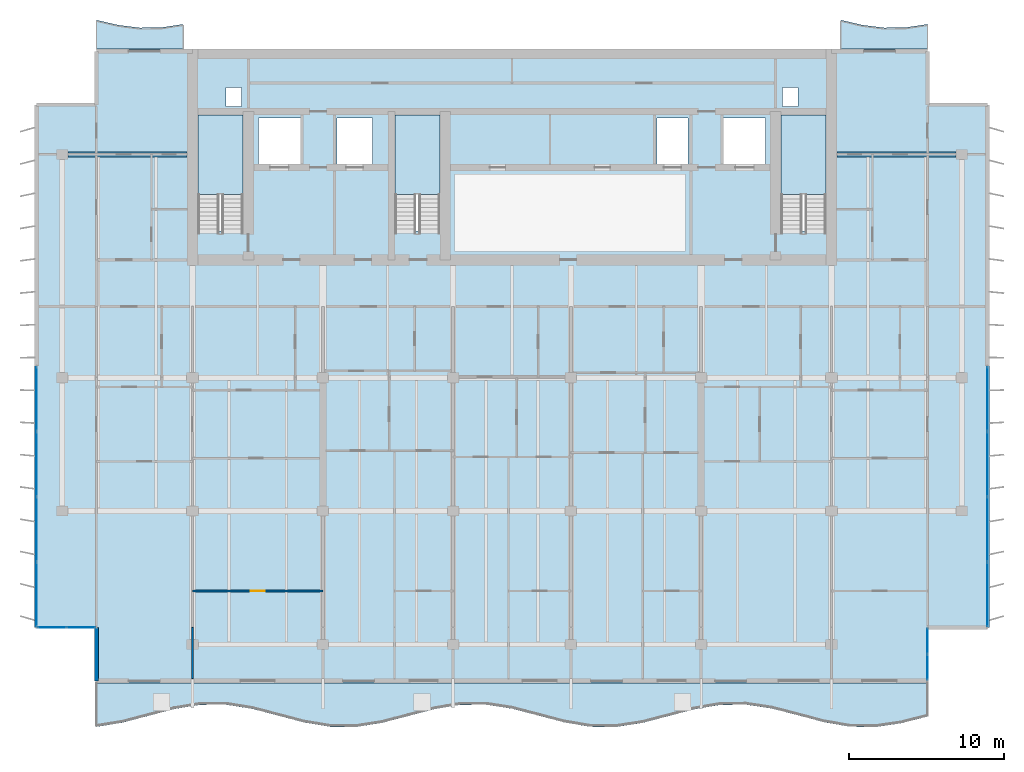
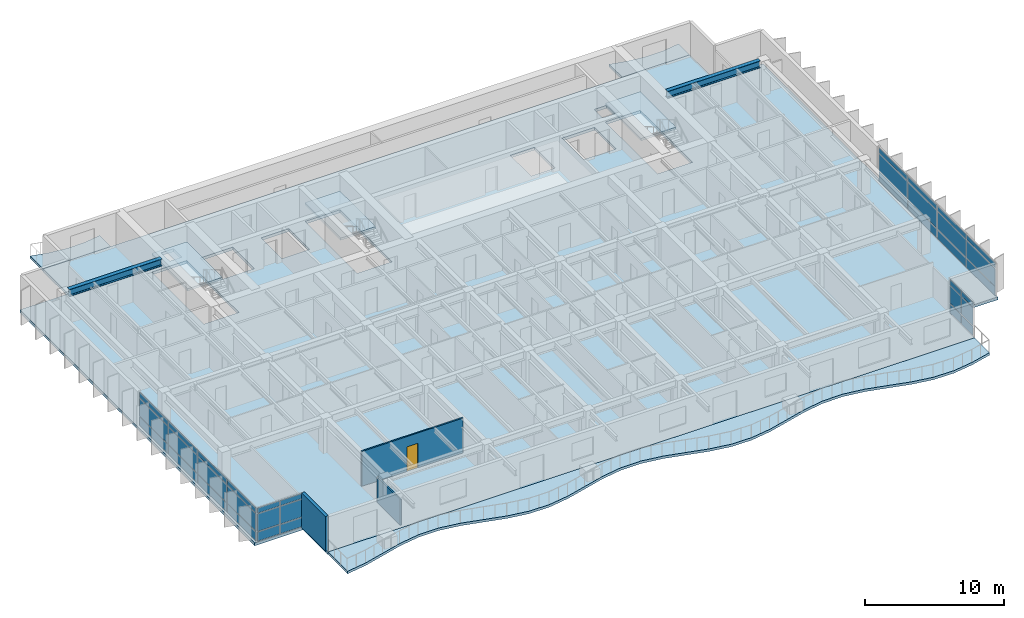
# One storey, part 5 of 17: 36 plates, 7 slabs, 3 walls, 2 beams, 1 door, 1 opening, 7 elements without a shape of their own.
"""IFC4 building model written with IfcOpenShell, lengths in metres."""

from ifc_helpers import new_model, si_unit, direction, frame, frame_2d, origin, origin_2d, place, context, subcontext, project, spatial, polyline, rectangle, i_section, outline, extrude, material, layer, layer_set, material_profile, profile_set, type_object, element, fill, aggregate, save


model = new_model("IFC4")

# Units and contexts
model_context = context("Model", 3, precision=1e-05, world=origin(), true_north=direction((0.0, 1.0)))
body_context = subcontext(model_context, "Body", "Model", "MODEL_VIEW")
ifc_project = project(units=[si_unit("LENGTHUNIT", "METRE"), si_unit("AREAUNIT", "SQUARE_METRE"), si_unit("VOLUMEUNIT", "CUBIC_METRE"), si_unit("PLANEANGLEUNIT", "RADIAN"), si_unit("MASSUNIT", "GRAM", prefix="KILO")], contexts=[model_context])

# Site, building, storey
site_placement = place(None, origin())
site = spatial("IfcSite", under=ifc_project, at=site_placement, CompositionType="ELEMENT")
building_placement = place(site_placement, origin())
building = spatial("IfcBuilding", under=site, at=building_placement, Name="Caelmar Bay Residences", CompositionType="ELEMENT")
storey_placement = place(building_placement, frame((0.0, 0.0, 236.39990234375)))
storey = spatial("IfcBuildingStorey", under=building, at=storey_placement, Name="L66", CompositionType="ELEMENT", Elevation=236.39990234375)

# Beams
ifc_material_1 = material(Name="Steel ASTM A992 Grade 50", Category="steel")
ifc_material_profile = material_profile(ifc_material_1, i_section(OverallWidth=0.324951171875, OverallDepth=0.616943359375, WebThickness=0.013916015625, FlangeThickness=0.021484375, FilletRadius=0.0126953125, at=origin_2d()), Name="W24X117")
ifc_profile_set = profile_set([ifc_material_profile], Name="Steel ASTM A992 Grade 50")
beam_type = type_object("IfcBeamType", Name="BM-SPN-W24X117", PredefinedType="SPANDREL", material=ifc_profile_set)
beam_1_placement = place(storey_placement, frame((10.264892578125, 43.800048828125, 2.74169921875), z_axis=(1.0, 0.0, 0.0), x_axis=(0.0, 1.0, 0.0)))
element("IfcBeam", 1, at=beam_1_placement, inside=storey, type_object=beam_type, Name="L66 North-West Wing Core Tie Girder", PredefinedType="SPANDREL", context=body_context, shape_type="SweptSolid", body=[
    extrude(i_section(OverallWidth=0.324951171875, OverallDepth=0.616943359375, WebThickness=0.013916015625, FlangeThickness=0.021484375, FilletRadius=0.0126953125, at=origin_2d()), origin(), (0.0, 0.0, 1.0), 7.68505859375),
])
beam_2_placement = place(storey_placement, frame((59.85009765625, 43.800048828125, 2.74169921875), z_axis=(1.0, 0.0, 0.0), x_axis=(0.0, 1.0, 0.0)))
element("IfcBeam", 2, at=beam_2_placement, inside=storey, type_object=beam_type, Name="L66 North-East Wing Core Tie Girder", PredefinedType="SPANDREL", context=body_context, shape_type="SweptSolid", body=[
    extrude(i_section(OverallWidth=0.324951171875, OverallDepth=0.616943359375, WebThickness=0.013916015625, FlangeThickness=0.021484375, FilletRadius=0.0126953125, at=origin_2d()), origin(), (0.0, 0.0, 1.0), 7.684814453125),
])

# Curtain wall, plates
ifc_material_2 = material(Name="Anodised bronze aluminium 6063-T6 and laminated glass", Category="aluminium")
ifc_layer_1 = layer(ifc_material_2, 0.179931640625)
ifc_layer_set_1 = layer_set([ifc_layer_1], Name="Anodised bronze aluminium 6063-T6 and laminated glass")
curtain_wall_type_1 = type_object("IfcCurtainWallType", Name="CW6-NTC", PredefinedType="NOTDEFINED", material=ifc_layer_set_1)
curtain_wall_1_placement = place(storey_placement, origin())
curtain_wall_1 = element("IfcCurtainWall", 3, at=curtain_wall_1_placement, inside=storey, type_object=curtain_wall_type_1, Name="CW6 curtain wall L66", PredefinedType="NOTDEFINED")
ifc_material_3 = material(Name="Bronze-tinted laminated low-E hurricane glass 28 mm", Category="glass")
ifc_layer_2 = layer(ifc_material_3, 0.028076171875)
ifc_layer_set_2 = layer_set([ifc_layer_2], Name="Bronze-tinted laminated low-E hurricane glass 28 mm")
plate_type_1 = type_object("IfcPlateType", Name="CWP-GLZ28", PredefinedType="CURTAIN_PANEL", material=ifc_layer_set_2)
plate_1_placement = place(storey_placement, frame((9.232421875, 13.300048828125, 0.080078125), z_axis=(0.0, 0.0, 1.0), x_axis=(1.0, 0.0, 0.0)))
plate_1 = element("IfcPlate", 4, at=plate_1_placement, type_object=plate_type_1, Name="CW6 panel 1.1", PredefinedType="CURTAIN_PANEL", context=body_context, shape_type="SweptSolid", body=[
    extrude(rectangle(XDim=1.804931640625, YDim=0.028076171875, at=origin_2d()), origin(), (0.0, 0.0, 1.0), 0.780029296875),
])
plate_2_placement = place(storey_placement, frame((9.232421875, 13.300048828125, 0.940185546875), z_axis=(0.0, 0.0, 1.0), x_axis=(1.0, 0.0, 0.0)))
plate_2 = element("IfcPlate", 5, at=plate_2_placement, type_object=plate_type_1, Name="CW6 panel 1.2", PredefinedType="CURTAIN_PANEL", context=body_context, shape_type="SweptSolid", body=[
    extrude(rectangle(XDim=1.804931640625, YDim=0.028076171875, at=origin_2d()), origin(), (0.0, 0.0, 1.0), 1.52001953125),
])
plate_3_placement = place(storey_placement, frame((9.232421875, 13.300048828125, 2.5400390625), z_axis=(0.0, 0.0, 1.0), x_axis=(1.0, 0.0, 0.0)))
plate_3 = element("IfcPlate", 6, at=plate_3_placement, type_object=plate_type_1, Name="CW6 panel 1.3", PredefinedType="CURTAIN_PANEL", context=body_context, shape_type="SweptSolid", body=[
    extrude(rectangle(XDim=1.804931640625, YDim=0.028076171875, at=origin_2d()), origin(), (0.0, 0.0, 1.0), 0.429931640625),
])
plate_4_placement = place(storey_placement, frame((11.117431640625, 13.300048828125, 0.080078125), z_axis=(0.0, 0.0, 1.0), x_axis=(1.0, 0.0, 0.0)))
plate_4 = element("IfcPlate", 7, at=plate_4_placement, type_object=plate_type_1, Name="CW6 panel 2.1", PredefinedType="CURTAIN_PANEL", context=body_context, shape_type="SweptSolid", body=[
    extrude(rectangle(XDim=1.804931640625, YDim=0.028076171875, at=origin_2d()), origin(), (0.0, 0.0, 1.0), 0.780029296875),
])
plate_5_placement = place(storey_placement, frame((11.117431640625, 13.300048828125, 0.940185546875), z_axis=(0.0, 0.0, 1.0), x_axis=(1.0, 0.0, 0.0)))
plate_5 = element("IfcPlate", 8, at=plate_5_placement, type_object=plate_type_1, Name="CW6 panel 2.2", PredefinedType="CURTAIN_PANEL", context=body_context, shape_type="SweptSolid", body=[
    extrude(rectangle(XDim=1.804931640625, YDim=0.028076171875, at=origin_2d()), origin(), (0.0, 0.0, 1.0), 1.52001953125),
])
plate_6_placement = place(storey_placement, frame((11.117431640625, 13.300048828125, 2.5400390625), z_axis=(0.0, 0.0, 1.0), x_axis=(1.0, 0.0, 0.0)))
plate_6 = element("IfcPlate", 9, at=plate_6_placement, type_object=plate_type_1, Name="CW6 panel 2.3", PredefinedType="CURTAIN_PANEL", context=body_context, shape_type="SweptSolid", body=[
    extrude(rectangle(XDim=1.804931640625, YDim=0.028076171875, at=origin_2d()), origin(), (0.0, 0.0, 1.0), 0.429931640625),
])
aggregate(curtain_wall_1, [plate_1, plate_2, plate_3, plate_4, plate_5, plate_6])

curtain_wall_2_placement = place(storey_placement, origin())
curtain_wall_2 = element("IfcCurtainWall", 10, at=curtain_wall_2_placement, inside=storey, type_object=curtain_wall_type_1, Name="CW6 curtain wall L66", PredefinedType="NOTDEFINED")
plate_7_placement = place(storey_placement, frame((65.699951171875, 10.732421875, 0.080078125), z_axis=(0.0, 0.0, 1.0), x_axis=(0.0, 1.0, 0.0)))
plate_7 = element("IfcPlate", 11, at=plate_7_placement, type_object=plate_type_1, Name="CW6 panel 1.1", PredefinedType="CURTAIN_PANEL", context=body_context, shape_type="SweptSolid", body=[
    extrude(rectangle(XDim=1.60498046875, YDim=0.028076171875, at=origin_2d()), origin(), (0.0, 0.0, 1.0), 0.780029296875),
])
plate_8_placement = place(storey_placement, frame((65.699951171875, 10.732421875, 0.940185546875), z_axis=(0.0, 0.0, 1.0), x_axis=(0.0, 1.0, 0.0)))
plate_8 = element("IfcPlate", 12, at=plate_8_placement, type_object=plate_type_1, Name="CW6 panel 1.2", PredefinedType="CURTAIN_PANEL", context=body_context, shape_type="SweptSolid", body=[
    extrude(rectangle(XDim=1.60498046875, YDim=0.028076171875, at=origin_2d()), origin(), (0.0, 0.0, 1.0), 1.52001953125),
])
plate_9_placement = place(storey_placement, frame((65.699951171875, 10.732421875, 2.5400390625), z_axis=(0.0, 0.0, 1.0), x_axis=(0.0, 1.0, 0.0)))
plate_9 = element("IfcPlate", 13, at=plate_9_placement, type_object=plate_type_1, Name="CW6 panel 1.3", PredefinedType="CURTAIN_PANEL", context=body_context, shape_type="SweptSolid", body=[
    extrude(rectangle(XDim=1.60498046875, YDim=0.028076171875, at=origin_2d()), origin(), (0.0, 0.0, 1.0), 0.429931640625),
])
plate_10_placement = place(storey_placement, frame((65.699951171875, 12.41748046875, 0.080078125), z_axis=(0.0, 0.0, 1.0), x_axis=(0.0, 1.0, 0.0)))
plate_10 = element("IfcPlate", 14, at=plate_10_placement, type_object=plate_type_1, Name="CW6 panel 2.1", PredefinedType="CURTAIN_PANEL", context=body_context, shape_type="SweptSolid", body=[
    extrude(rectangle(XDim=1.60498046875, YDim=0.028076171875, at=origin_2d()), origin(), (0.0, 0.0, 1.0), 0.780029296875),
])
plate_11_placement = place(storey_placement, frame((65.699951171875, 12.41748046875, 0.940185546875), z_axis=(0.0, 0.0, 1.0), x_axis=(0.0, 1.0, 0.0)))
plate_11 = element("IfcPlate", 15, at=plate_11_placement, type_object=plate_type_1, Name="CW6 panel 2.2", PredefinedType="CURTAIN_PANEL", context=body_context, shape_type="SweptSolid", body=[
    extrude(rectangle(XDim=1.60498046875, YDim=0.028076171875, at=origin_2d()), origin(), (0.0, 0.0, 1.0), 1.52001953125),
])
plate_12_placement = place(storey_placement, frame((65.699951171875, 12.41748046875, 2.5400390625), z_axis=(0.0, 0.0, 1.0), x_axis=(0.0, 1.0, 0.0)))
plate_12 = element("IfcPlate", 16, at=plate_12_placement, type_object=plate_type_1, Name="CW6 panel 2.3", PredefinedType="CURTAIN_PANEL", context=body_context, shape_type="SweptSolid", body=[
    extrude(rectangle(XDim=1.60498046875, YDim=0.028076171875, at=origin_2d()), origin(), (0.0, 0.0, 1.0), 0.429931640625),
])
aggregate(curtain_wall_2, [plate_7, plate_8, plate_9, plate_10, plate_11, plate_12])

ifc_layer_3 = layer(ifc_material_2, 0.179931640625)
ifc_layer_set_3 = layer_set([ifc_layer_3], Name="Anodised bronze aluminium 6063-T6 and laminated glass")
curtain_wall_type_2 = type_object("IfcCurtainWallType", Name="CW5-Z4", PredefinedType="NOTDEFINED", material=ifc_layer_set_3)
curtain_wall_3_placement = place(storey_placement, origin())
curtain_wall_3 = element("IfcCurtainWall", 17, at=curtain_wall_3_placement, inside=storey, type_object=curtain_wall_type_2, Name="CW5 curtain wall L66", PredefinedType="NOTDEFINED")
ifc_material_4 = material(Name="Bronze-tinted laminated low-E hurricane glass 32 mm", Category="glass")
ifc_layer_4 = layer(ifc_material_4, 0.031982421875)
ifc_layer_set_4 = layer_set([ifc_layer_4], Name="Bronze-tinted laminated low-E hurricane glass 32 mm")
plate_type_2 = type_object("IfcPlateType", Name="CWP-GLZ32", PredefinedType="CURTAIN_PANEL", material=ifc_layer_set_4)
plate_13_placement = place(storey_placement, frame((8.25, 15.42626953125, 0.080078125), z_axis=(0.0, 0.0, 1.0), x_axis=(0.0, 1.0, 0.0)))
plate_13 = element("IfcPlate", 18, at=plate_13_placement, type_object=plate_type_2, Name="CW5 panel 1.1", PredefinedType="CURTAIN_PANEL", context=body_context, shape_type="SweptSolid", body=[
    extrude(rectangle(XDim=4.092529296875, YDim=0.031982421875, at=origin_2d()), origin(), (0.0, 0.0, 1.0), 0.780029296875),
])
plate_14_placement = place(storey_placement, frame((8.25, 15.42626953125, 0.940185546875), z_axis=(0.0, 0.0, 1.0), x_axis=(0.0, 1.0, 0.0)))
plate_14 = element("IfcPlate", 19, at=plate_14_placement, type_object=plate_type_2, Name="CW5 panel 1.2", PredefinedType="CURTAIN_PANEL", context=body_context, shape_type="SweptSolid", body=[
    extrude(rectangle(XDim=4.092529296875, YDim=0.031982421875, at=origin_2d()), origin(), (0.0, 0.0, 1.0), 1.52001953125),
])
plate_15_placement = place(storey_placement, frame((8.25, 15.42626953125, 2.5400390625), z_axis=(0.0, 0.0, 1.0), x_axis=(0.0, 1.0, 0.0)))
plate_15 = element("IfcPlate", 20, at=plate_15_placement, type_object=plate_type_2, Name="CW5 panel 1.3", PredefinedType="CURTAIN_PANEL", context=body_context, shape_type="SweptSolid", body=[
    extrude(rectangle(XDim=4.092529296875, YDim=0.031982421875, at=origin_2d()), origin(), (0.0, 0.0, 1.0), 0.429931640625),
])
plate_16_placement = place(storey_placement, frame((8.25, 19.61865234375, 0.080078125), z_axis=(0.0, 0.0, 1.0), x_axis=(0.0, 1.0, 0.0)))
plate_16 = element("IfcPlate", 21, at=plate_16_placement, type_object=plate_type_2, Name="CW5 panel 2.1", PredefinedType="CURTAIN_PANEL", context=body_context, shape_type="SweptSolid", body=[
    extrude(rectangle(XDim=4.132568359375, YDim=0.031982421875, at=origin_2d()), origin(), (0.0, 0.0, 1.0), 0.780029296875),
])
plate_17_placement = place(storey_placement, frame((8.25, 19.61865234375, 0.940185546875), z_axis=(0.0, 0.0, 1.0), x_axis=(0.0, 1.0, 0.0)))
plate_17 = element("IfcPlate", 22, at=plate_17_placement, type_object=plate_type_2, Name="CW5 panel 2.2", PredefinedType="CURTAIN_PANEL", context=body_context, shape_type="SweptSolid", body=[
    extrude(rectangle(XDim=4.132568359375, YDim=0.031982421875, at=origin_2d()), origin(), (0.0, 0.0, 1.0), 1.52001953125),
])
plate_18_placement = place(storey_placement, frame((8.25, 19.61865234375, 2.5400390625), z_axis=(0.0, 0.0, 1.0), x_axis=(0.0, 1.0, 0.0)))
plate_18 = element("IfcPlate", 23, at=plate_18_placement, type_object=plate_type_2, Name="CW5 panel 2.3", PredefinedType="CURTAIN_PANEL", context=body_context, shape_type="SweptSolid", body=[
    extrude(rectangle(XDim=4.132568359375, YDim=0.031982421875, at=origin_2d()), origin(), (0.0, 0.0, 1.0), 0.429931640625),
])
plate_19_placement = place(storey_placement, frame((8.25, 23.831298828125, 0.080078125), z_axis=(0.0, 0.0, 1.0), x_axis=(0.0, 1.0, 0.0)))
plate_19 = element("IfcPlate", 24, at=plate_19_placement, type_object=plate_type_2, Name="CW5 panel 3.1", PredefinedType="CURTAIN_PANEL", context=body_context, shape_type="SweptSolid", body=[
    extrude(rectangle(XDim=4.132568359375, YDim=0.031982421875, at=origin_2d()), origin(), (0.0, 0.0, 1.0), 0.780029296875),
])
plate_20_placement = place(storey_placement, frame((8.25, 23.831298828125, 0.940185546875), z_axis=(0.0, 0.0, 1.0), x_axis=(0.0, 1.0, 0.0)))
plate_20 = element("IfcPlate", 25, at=plate_20_placement, type_object=plate_type_2, Name="CW5 panel 3.2", PredefinedType="CURTAIN_PANEL", context=body_context, shape_type="SweptSolid", body=[
    extrude(rectangle(XDim=4.132568359375, YDim=0.031982421875, at=origin_2d()), origin(), (0.0, 0.0, 1.0), 1.52001953125),
])
plate_21_placement = place(storey_placement, frame((8.25, 23.831298828125, 2.5400390625), z_axis=(0.0, 0.0, 1.0), x_axis=(0.0, 1.0, 0.0)))
plate_21 = element("IfcPlate", 26, at=plate_21_placement, type_object=plate_type_2, Name="CW5 panel 3.3", PredefinedType="CURTAIN_PANEL", context=body_context, shape_type="SweptSolid", body=[
    extrude(rectangle(XDim=4.132568359375, YDim=0.031982421875, at=origin_2d()), origin(), (0.0, 0.0, 1.0), 0.429931640625),
])
plate_22_placement = place(storey_placement, frame((8.25, 28.023681640625, 0.080078125), z_axis=(0.0, 0.0, 1.0), x_axis=(0.0, 1.0, 0.0)))
plate_22 = element("IfcPlate", 27, at=plate_22_placement, type_object=plate_type_2, Name="CW5 panel 4.1", PredefinedType="CURTAIN_PANEL", context=body_context, shape_type="SweptSolid", body=[
    extrude(rectangle(XDim=4.092529296875, YDim=0.031982421875, at=origin_2d()), origin(), (0.0, 0.0, 1.0), 0.780029296875),
])
plate_23_placement = place(storey_placement, frame((8.25, 28.023681640625, 0.940185546875), z_axis=(0.0, 0.0, 1.0), x_axis=(0.0, 1.0, 0.0)))
plate_23 = element("IfcPlate", 28, at=plate_23_placement, type_object=plate_type_2, Name="CW5 panel 4.2", PredefinedType="CURTAIN_PANEL", context=body_context, shape_type="SweptSolid", body=[
    extrude(rectangle(XDim=4.092529296875, YDim=0.031982421875, at=origin_2d()), origin(), (0.0, 0.0, 1.0), 1.52001953125),
])
plate_24_placement = place(storey_placement, frame((8.25, 28.023681640625, 2.5400390625), z_axis=(0.0, 0.0, 1.0), x_axis=(0.0, 1.0, 0.0)))
plate_24 = element("IfcPlate", 29, at=plate_24_placement, type_object=plate_type_2, Name="CW5 panel 4.3", PredefinedType="CURTAIN_PANEL", context=body_context, shape_type="SweptSolid", body=[
    extrude(rectangle(XDim=4.092529296875, YDim=0.031982421875, at=origin_2d()), origin(), (0.0, 0.0, 1.0), 0.429931640625),
])
aggregate(curtain_wall_3, [plate_13, plate_14, plate_15, plate_16, plate_17, plate_18, plate_19, plate_20, plate_21, plate_22, plate_23, plate_24])

curtain_wall_4_placement = place(storey_placement, origin())
curtain_wall_4 = element("IfcCurtainWall", 30, at=curtain_wall_4_placement, inside=storey, type_object=curtain_wall_type_2, Name="CW5 curtain wall L66", PredefinedType="NOTDEFINED")
plate_25_placement = place(storey_placement, frame((69.550048828125, 28.023681640625, 0.080078125), z_axis=(0.0, 0.0, 1.0), x_axis=(0.0, -1.0, 0.0)))
plate_25 = element("IfcPlate", 31, at=plate_25_placement, type_object=plate_type_2, Name="CW5 panel 1.1", PredefinedType="CURTAIN_PANEL", context=body_context, shape_type="SweptSolid", body=[
    extrude(rectangle(XDim=4.092529296875, YDim=0.031982421875, at=origin_2d()), origin(), (0.0, 0.0, 1.0), 0.780029296875),
])
plate_26_placement = place(storey_placement, frame((69.550048828125, 28.023681640625, 0.940185546875), z_axis=(0.0, 0.0, 1.0), x_axis=(0.0, -1.0, 0.0)))
plate_26 = element("IfcPlate", 32, at=plate_26_placement, type_object=plate_type_2, Name="CW5 panel 1.2", PredefinedType="CURTAIN_PANEL", context=body_context, shape_type="SweptSolid", body=[
    extrude(rectangle(XDim=4.092529296875, YDim=0.031982421875, at=origin_2d()), origin(), (0.0, 0.0, 1.0), 1.52001953125),
])
plate_27_placement = place(storey_placement, frame((69.550048828125, 28.023681640625, 2.5400390625), z_axis=(0.0, 0.0, 1.0), x_axis=(0.0, -1.0, 0.0)))
plate_27 = element("IfcPlate", 33, at=plate_27_placement, type_object=plate_type_2, Name="CW5 panel 1.3", PredefinedType="CURTAIN_PANEL", context=body_context, shape_type="SweptSolid", body=[
    extrude(rectangle(XDim=4.092529296875, YDim=0.031982421875, at=origin_2d()), origin(), (0.0, 0.0, 1.0), 0.429931640625),
])
plate_28_placement = place(storey_placement, frame((69.550048828125, 23.831298828125, 0.080078125), z_axis=(0.0, 0.0, 1.0), x_axis=(0.0, -1.0, 0.0)))
plate_28 = element("IfcPlate", 34, at=plate_28_placement, type_object=plate_type_2, Name="CW5 panel 2.1", PredefinedType="CURTAIN_PANEL", context=body_context, shape_type="SweptSolid", body=[
    extrude(rectangle(XDim=4.132568359375, YDim=0.031982421875, at=origin_2d()), origin(), (0.0, 0.0, 1.0), 0.780029296875),
])
plate_29_placement = place(storey_placement, frame((69.550048828125, 23.831298828125, 0.940185546875), z_axis=(0.0, 0.0, 1.0), x_axis=(0.0, -1.0, 0.0)))
plate_29 = element("IfcPlate", 35, at=plate_29_placement, type_object=plate_type_2, Name="CW5 panel 2.2", PredefinedType="CURTAIN_PANEL", context=body_context, shape_type="SweptSolid", body=[
    extrude(rectangle(XDim=4.132568359375, YDim=0.031982421875, at=origin_2d()), origin(), (0.0, 0.0, 1.0), 1.52001953125),
])
plate_30_placement = place(storey_placement, frame((69.550048828125, 23.831298828125, 2.5400390625), z_axis=(0.0, 0.0, 1.0), x_axis=(0.0, -1.0, 0.0)))
plate_30 = element("IfcPlate", 36, at=plate_30_placement, type_object=plate_type_2, Name="CW5 panel 2.3", PredefinedType="CURTAIN_PANEL", context=body_context, shape_type="SweptSolid", body=[
    extrude(rectangle(XDim=4.132568359375, YDim=0.031982421875, at=origin_2d()), origin(), (0.0, 0.0, 1.0), 0.429931640625),
])
plate_31_placement = place(storey_placement, frame((69.550048828125, 19.61865234375, 0.080078125), z_axis=(0.0, 0.0, 1.0), x_axis=(0.0, -1.0, 0.0)))
plate_31 = element("IfcPlate", 37, at=plate_31_placement, type_object=plate_type_2, Name="CW5 panel 3.1", PredefinedType="CURTAIN_PANEL", context=body_context, shape_type="SweptSolid", body=[
    extrude(rectangle(XDim=4.132568359375, YDim=0.031982421875, at=origin_2d()), origin(), (0.0, 0.0, 1.0), 0.780029296875),
])
plate_32_placement = place(storey_placement, frame((69.550048828125, 19.61865234375, 0.940185546875), z_axis=(0.0, 0.0, 1.0), x_axis=(0.0, -1.0, 0.0)))
plate_32 = element("IfcPlate", 38, at=plate_32_placement, type_object=plate_type_2, Name="CW5 panel 3.2", PredefinedType="CURTAIN_PANEL", context=body_context, shape_type="SweptSolid", body=[
    extrude(rectangle(XDim=4.132568359375, YDim=0.031982421875, at=origin_2d()), origin(), (0.0, 0.0, 1.0), 1.52001953125),
])
plate_33_placement = place(storey_placement, frame((69.550048828125, 19.61865234375, 2.5400390625), z_axis=(0.0, 0.0, 1.0), x_axis=(0.0, -1.0, 0.0)))
plate_33 = element("IfcPlate", 39, at=plate_33_placement, type_object=plate_type_2, Name="CW5 panel 3.3", PredefinedType="CURTAIN_PANEL", context=body_context, shape_type="SweptSolid", body=[
    extrude(rectangle(XDim=4.132568359375, YDim=0.031982421875, at=origin_2d()), origin(), (0.0, 0.0, 1.0), 0.429931640625),
])
plate_34_placement = place(storey_placement, frame((69.550048828125, 15.42626953125, 0.080078125), z_axis=(0.0, 0.0, 1.0), x_axis=(0.0, -1.0, 0.0)))
plate_34 = element("IfcPlate", 40, at=plate_34_placement, type_object=plate_type_2, Name="CW5 panel 4.1", PredefinedType="CURTAIN_PANEL", context=body_context, shape_type="SweptSolid", body=[
    extrude(rectangle(XDim=4.092529296875, YDim=0.031982421875, at=origin_2d()), origin(), (0.0, 0.0, 1.0), 0.780029296875),
])
plate_35_placement = place(storey_placement, frame((69.550048828125, 15.42626953125, 0.940185546875), z_axis=(0.0, 0.0, 1.0), x_axis=(0.0, -1.0, 0.0)))
plate_35 = element("IfcPlate", 41, at=plate_35_placement, type_object=plate_type_2, Name="CW5 panel 4.2", PredefinedType="CURTAIN_PANEL", context=body_context, shape_type="SweptSolid", body=[
    extrude(rectangle(XDim=4.092529296875, YDim=0.031982421875, at=origin_2d()), origin(), (0.0, 0.0, 1.0), 1.52001953125),
])
plate_36_placement = place(storey_placement, frame((69.550048828125, 15.42626953125, 2.5400390625), z_axis=(0.0, 0.0, 1.0), x_axis=(0.0, -1.0, 0.0)))
plate_36 = element("IfcPlate", 42, at=plate_36_placement, type_object=plate_type_2, Name="CW5 panel 4.3", PredefinedType="CURTAIN_PANEL", context=body_context, shape_type="SweptSolid", body=[
    extrude(rectangle(XDim=4.092529296875, YDim=0.031982421875, at=origin_2d()), origin(), (0.0, 0.0, 1.0), 0.429931640625),
])
aggregate(curtain_wall_4, [plate_25, plate_26, plate_27, plate_28, plate_29, plate_30, plate_31, plate_32, plate_33, plate_34, plate_35, plate_36])

# Slabs
ifc_material_5 = material(Name="Concrete f'c 40 MPa (6,000 psi)", Category="concrete")
ifc_layer_5 = layer(ifc_material_5, 0.219970703125)
ifc_layer_set_5 = layer_set([ifc_layer_5], Name="Concrete f'c 40 MPa (6,000 psi)")
slab_type_1 = type_object("IfcSlabType", Name="SLB-BAL-220", PredefinedType="FLOOR", material=ifc_layer_set_5)
slab_1_placement = place(storey_placement, frame((0.0, 0.0, -0.219970703125)))
element("IfcSlab", 43, at=slab_1_placement, inside=storey, type_object=slab_type_1, Name="L66 Sinusoidal Tree-Balcony Slab south", PredefinedType="FLOOR", context=body_context, shape_type="SweptSolid", body=[
    extrude(outline(polyline([(12.10009765625, 6.88671875), (13.77490234375, 7.157958984375), (15.449951171875, 7.59716796875), (17.125, 8.037353515625), (18.800048828125, 8.3115234375), (20.47509765625, 8.3154296875), (22.14990234375, 8.047607421875), (23.824951171875, 7.60986328125), (25.5, 7.168212890625), (27.175048828125, 6.890625), (28.85009765625, 6.882568359375), (30.52490234375, 7.146728515625), (32.199951171875, 7.583251953125), (33.875, 8.02587890625), (35.550048828125, 8.306884765625), (37.22509765625, 8.319580078125), (38.89990234375, 8.058837890625), (40.574951171875, 7.623779296875), (42.25, 7.1796875), (43.925048828125, 6.8955078125), (45.60009765625, 6.87841796875), (47.27490234375, 7.1357421875), (48.949951171875, 7.569091796875), (50.625, 8.014404296875), (52.300048828125, 8.30224609375), (53.97509765625, 8.3232421875), (55.64990234375, 8.06982421875), (57.324951171875, 7.637939453125), (59.0, 7.19140625), (60.675048828125, 6.900390625), (62.35009765625, 6.874755859375), (64.02490234375, 7.124755859375), (65.699951171875, 7.55517578125), (65.699951171875, 9.699951171875), (12.10009765625, 9.699951171875), (12.10009765625, 6.88671875)])), origin(), (0.0, 0.0, 1.0), 0.219970703125),
])
slab_2_placement = place(storey_placement, frame((0.0, 0.0, -0.219970703125)))
element("IfcSlab", 44, at=slab_2_placement, inside=storey, type_object=slab_type_1, Name="L66 Sinusoidal Tree-Balcony Slab north_west", PredefinedType="FLOOR", context=body_context, shape_type="SweptSolid", body=[
    extrude(outline(polyline([(12.10009765625, 50.60009765625), (17.699951171875, 50.60009765625), (17.699951171875, 52.1982421875), (16.300048828125, 51.98681640625), (14.89990234375, 51.96630859375), (13.5, 52.142578125), (12.10009765625, 52.46826171875), (12.10009765625, 50.60009765625)])), origin(), (0.0, 0.0, 1.0), 0.219970703125),
])
slab_3_placement = place(storey_placement, frame((0.0, 0.0, -0.219970703125)))
element("IfcSlab", 45, at=slab_3_placement, inside=storey, type_object=slab_type_1, Name="L66 Sinusoidal Tree-Balcony Slab north_east", PredefinedType="FLOOR", context=body_context, shape_type="SweptSolid", body=[
    extrude(outline(polyline([(60.10009765625, 50.60009765625), (65.699951171875, 50.60009765625), (65.699951171875, 52.1982421875), (64.300048828125, 51.98681640625), (62.89990234375, 51.96630859375), (61.5, 52.142578125), (60.10009765625, 52.46826171875), (60.10009765625, 50.60009765625)])), origin(), (0.0, 0.0, 1.0), 0.219970703125),
])

# Stair, slab
stair_type = type_object("IfcStairType", Name="ST-TYP-165", PredefinedType="HALF_TURN_STAIR", material=ifc_material_5)
stair_1_placement = place(storey_placement, origin())
stair_1 = element("IfcStair", 46, at=stair_1_placement, inside=storey, type_object=stair_type, Name="L66 West Smokeproof Exit Stair ST1", PredefinedType="HALF_TURN_STAIR")
ifc_layer_6 = layer(ifc_material_5, 0.199951171875)
ifc_layer_set_6 = layer_set([ifc_layer_6], Name="Concrete f'c 40 MPa (6,000 psi)")
slab_type_2 = type_object("IfcSlabType", Name="SLB-LND-200", PredefinedType="LANDING", material=ifc_layer_set_6)
slab_4_placement = place(storey_placement, frame((0.0, 0.0, 1.4501953125)))
slab_4 = element("IfcSlab", 47, at=slab_4_placement, type_object=slab_type_2, Name="ST1 landing 1", PredefinedType="LANDING", context=body_context, shape_type="SweptSolid", body=[
    extrude(outline(polyline([(21.550048828125, 41.219970703125), (21.550048828125, 46.35009765625), (18.64990234375, 46.35009765625), (18.64990234375, 41.219970703125), (21.550048828125, 41.219970703125)])), origin(), (0.0, 0.0, 1.0), 0.199951171875),
])
aggregate(stair_1, [slab_4])

stair_2_placement = place(storey_placement, origin())
stair_2 = element("IfcStair", 48, at=stair_2_placement, inside=storey, type_object=stair_type, Name="L66 East Smokeproof Exit Stair ST2", PredefinedType="HALF_TURN_STAIR")
slab_5_placement = place(storey_placement, frame((0.0, 0.0, 1.4501953125)))
slab_5 = element("IfcSlab", 49, at=slab_5_placement, type_object=slab_type_2, Name="ST2 landing 1", PredefinedType="LANDING", context=body_context, shape_type="SweptSolid", body=[
    extrude(outline(polyline([(59.14990234375, 41.219970703125), (59.14990234375, 46.35009765625), (56.25, 46.35009765625), (56.25, 41.219970703125), (59.14990234375, 41.219970703125)])), origin(), (0.0, 0.0, 1.0), 0.199951171875),
])
aggregate(stair_2, [slab_5])

stair_3_placement = place(storey_placement, origin())
stair_3 = element("IfcStair", 50, at=stair_3_placement, inside=storey, type_object=stair_type, Name="L66 Central Smokeproof Exit Stair ST3", PredefinedType="HALF_TURN_STAIR")
slab_6_placement = place(storey_placement, frame((0.0, 0.0, 1.4501953125)))
slab_6 = element("IfcSlab", 51, at=slab_6_placement, type_object=slab_type_2, Name="ST3 landing 1", PredefinedType="LANDING", context=body_context, shape_type="SweptSolid", body=[
    extrude(outline(polyline([(34.25, 41.219970703125), (34.25, 46.35009765625), (31.35009765625, 46.35009765625), (31.35009765625, 41.219970703125), (34.25, 41.219970703125)])), origin(), (0.0, 0.0, 1.0), 0.199951171875),
])
aggregate(stair_3, [slab_6])

# Slab
ifc_layer_7 = layer(ifc_material_5, 0.25)
ifc_layer_set_7 = layer_set([ifc_layer_7], Name="Concrete f'c 40 MPa (6,000 psi)")
slab_type_3 = type_object("IfcSlabType", Name="SLB-RES-250", PredefinedType="FLOOR", material=ifc_layer_set_7)
slab_7_placement = place(storey_placement, frame((0.0, 0.0, -0.25)))
element("IfcSlab", 52, at=slab_7_placement, inside=storey, type_object=slab_type_3, Name="L66 Structural Floor Slab", PredefinedType="FLOOR", context=body_context, shape_type="SweptSolid", body=[
    extrude(outline(polyline([(12.10009765625, 9.699951171875), (65.699951171875, 9.699951171875), (65.699951171875, 13.300048828125), (69.699951171875, 13.300048828125), (69.699951171875, 47.0), (65.699951171875, 47.0), (65.699951171875, 50.60009765625), (12.10009765625, 50.60009765625), (12.10009765625, 47.0), (8.10009765625, 47.0), (8.10009765625, 13.300048828125), (12.10009765625, 13.300048828125), (12.10009765625, 9.699951171875)]), holes=[polyline([(18.64990234375, 38.85009765625), (21.550048828125, 38.85009765625), (21.550048828125, 46.35009765625), (18.64990234375, 46.35009765625), (18.64990234375, 38.85009765625)]), polyline([(56.25, 38.85009765625), (59.14990234375, 38.85009765625), (59.14990234375, 46.35009765625), (56.25, 46.35009765625), (56.25, 38.85009765625)]), polyline([(31.35009765625, 38.85009765625), (34.25, 38.85009765625), (34.25, 46.35009765625), (31.35009765625, 46.35009765625), (31.35009765625, 38.85009765625)]), polyline([(22.550048828125, 43.050048828125), (25.25, 43.050048828125), (25.25, 46.14990234375), (22.550048828125, 46.14990234375), (22.550048828125, 43.050048828125)]), polyline([(52.550048828125, 43.050048828125), (55.25, 43.050048828125), (55.25, 46.14990234375), (52.550048828125, 46.14990234375), (52.550048828125, 43.050048828125)]), polyline([(48.25, 43.14990234375), (50.25, 43.14990234375), (50.25, 46.14990234375), (48.25, 46.14990234375), (48.25, 43.14990234375)]), polyline([(27.60009765625, 43.14990234375), (29.89990234375, 43.14990234375), (29.89990234375, 46.14990234375), (27.60009765625, 46.14990234375), (27.60009765625, 43.14990234375)]), polyline([(20.449951171875, 46.89990234375), (21.449951171875, 46.89990234375), (21.449951171875, 48.10009765625), (20.449951171875, 48.10009765625), (20.449951171875, 46.89990234375)]), polyline([(56.35009765625, 46.89990234375), (57.35009765625, 46.89990234375), (57.35009765625, 48.10009765625), (56.35009765625, 48.10009765625), (56.35009765625, 46.89990234375)])]), origin(), (0.0, 0.0, 1.0), 0.25),
])

# Walls
ifc_material_6 = material(Name="Precast concrete f'c 40 MPa (6,000 psi)", Category="concrete")
ifc_layer_8 = layer(ifc_material_6, 0.25)
ifc_layer_set_8 = layer_set([ifc_layer_8], Name="Precast concrete f'c 40 MPa (6,000 psi)")
wall_type_1 = type_object("IfcWallType", Name="W-EXT-250", PredefinedType="ELEMENTEDWALL", material=ifc_layer_set_8)
wall_1_placement = place(storey_placement, frame((12.10009765625, 13.300048828125, 0.0), z_axis=(0.0, 0.0, 1.0), x_axis=(0.0, -1.0, 0.0)))
element("IfcWall", 53, at=wall_1_placement, inside=storey, type_object=wall_type_1, Name="L66 SW Notch Return Wall", PredefinedType="ELEMENTEDWALL", context=body_context, shape_type="SweptSolid", body=[
    extrude(rectangle(XDim=3.449951171875, YDim=0.25, at=frame_2d((1.72509765625, 0.0))), origin(), (0.0, 0.0, 1.0), 3.050048828125),
])
ifc_material_7 = material(Name="Acoustic metal-stud gypsum partition 120 mm")
ifc_layer_9 = layer(ifc_material_7, 0.1201171875)
ifc_layer_set_9 = layer_set([ifc_layer_9], Name="Acoustic metal-stud gypsum partition 120 mm")
wall_type_2 = type_object("IfcWallType", Name="W-PRT-120", PredefinedType="PARTITIONING", material=ifc_layer_set_9)
wall_2_placement = place(storey_placement, frame((18.300048828125, 9.9951171875, 0.0), z_axis=(0.0, 0.0, 1.0), x_axis=(0.0, 1.0, 0.0)))
element("IfcWall", 54, at=wall_2_placement, inside=storey, type_object=wall_type_2, Name="L66 Partition Wall V008", PredefinedType="PARTITIONING", context=body_context, shape_type="SweptSolid", body=[
    extrude(rectangle(XDim=3.304931640625, YDim=0.1201171875, at=frame_2d((1.65234375, 0.0))), origin(), (0.0, 0.0, 1.0), 2.26318359375),
])

# Wall, opening, door
wall_3_placement = place(storey_placement, frame((18.300048828125, 15.64990234375, 0.0), z_axis=(0.0, 0.0, 1.0), x_axis=(1.0, 0.0, 0.0)))
wall_3 = element("IfcWall", 55, at=wall_3_placement, inside=storey, type_object=wall_type_2, Name="L66 Partition Wall H063", PredefinedType="PARTITIONING", context=body_context, shape_type="SweptSolid", body=[
    extrude(rectangle(XDim=8.39990234375, YDim=0.1201171875, at=frame_2d((4.199951171875, 0.0))), origin(), (0.0, 0.0, 1.0), 3.050048828125),
])
opening_placement = place(wall_3_placement, frame((3.75, 0.0, 0.0)))
opening = element("IfcOpeningElement", 56, at=opening_placement, cuts=wall_3, Name="Opening D-L66-128", PredefinedType="OPENING", context=body_context, shape_type="SweptSolid", body=[
    extrude(rectangle(XDim=0.89990234375, YDim=2.14990234375, at=frame_2d((0.449951171875, 1.074951171875))), frame((0.0, 0.070068359375, 0.0), z_axis=(0.0, -1.0, 0.0), x_axis=(1.0, 0.0, 0.0)), (0.0, 0.0, 1.0), 0.14013671875),
])
ifc_material_8 = material(Name="Solid walnut timber interior door leaf and frame", Category="wood")
ifc_layer_10 = layer(ifc_material_8, 0.050048828125)
ifc_layer_set_10 = layer_set([ifc_layer_10], Name="Solid walnut timber interior door leaf and frame")
door_type = type_object("IfcDoorType", Name="D-ROOM-900", OperationType="NOTDEFINED", PredefinedType="DOOR", material=ifc_layer_set_10)
door_placement = place(opening_placement, origin())
door = element("IfcDoor", 57, at=door_placement, inside=storey, type_object=door_type, Name="L66 Residence 01 Primary Bedroom 1 Door", OperationType="SINGLE_SWING_RIGHT", OverallHeight=2.14990234375, OverallWidth=0.89990234375, PredefinedType="DOOR", context=body_context, shape_type="SweptSolid", body=[
    extrude(rectangle(XDim=0.89990234375, YDim=2.14990234375, at=frame_2d((0.449951171875, 1.074951171875))), frame((0.0, 0.02490234375, 0.0), z_axis=(0.0, -1.0, 0.0), x_axis=(1.0, 0.0, 0.0)), (0.0, 0.0, 1.0), 0.050048828125),
])
fill(opening, door)

save(model, "model.ifc")
